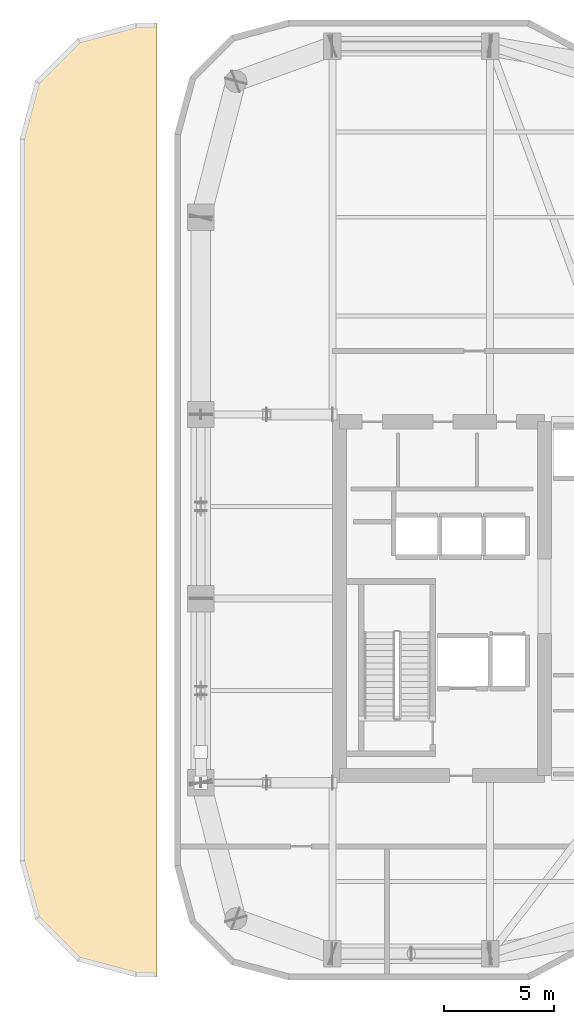
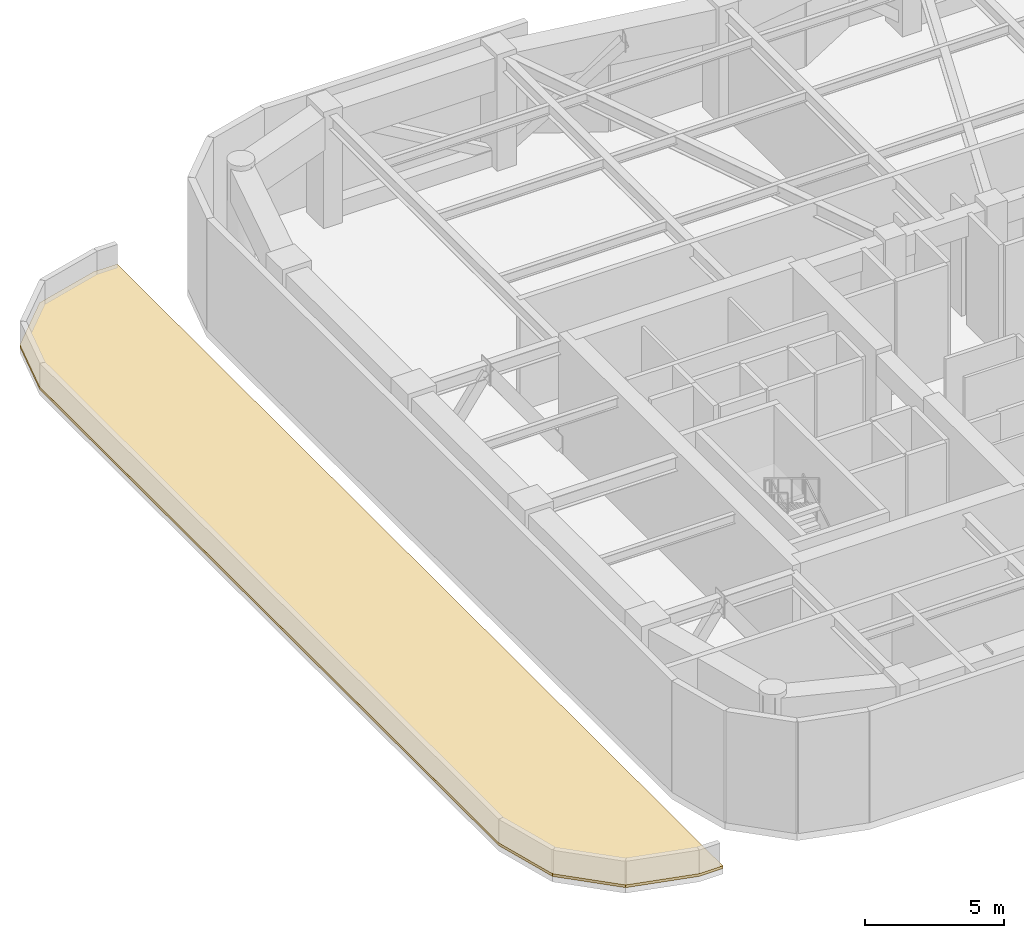
# One storey, part 15 of 16: 1 covering.
"""IFC4 building model written with IfcOpenShell, lengths in metres."""

from ifc_helpers import new_model, si_unit, direction, frame, origin, place, context, subcontext, project, spatial, polyline, outline, extrude, material, layer, layer_set, type_object, element, save


model = new_model("IFC4")

# Units and contexts
model_context = context("Model", 3, precision=1e-05, world=origin(), true_north=direction((0.0, 1.0)))
body_context = subcontext(model_context, "Body", "Model", "MODEL_VIEW")
ifc_project = project(units=[si_unit("LENGTHUNIT", "METRE"), si_unit("AREAUNIT", "SQUARE_METRE"), si_unit("VOLUMEUNIT", "CUBIC_METRE"), si_unit("PLANEANGLEUNIT", "RADIAN"), si_unit("MASSUNIT", "GRAM", prefix="KILO")], contexts=[model_context])

# Site, building, storey
site_placement = place(None, origin())
site = spatial("IfcSite", under=ifc_project, at=site_placement, CompositionType="ELEMENT")
building_placement = place(site_placement, origin())
building = spatial("IfcBuilding", under=site, at=building_placement, Name="Kiyonajd Concourse Tower", CompositionType="ELEMENT")
storey_placement = place(building_placement, frame((0.0, 0.0, 209.699951171875)))
storey = spatial("IfcBuildingStorey", under=building, at=storey_placement, Name="L53", CompositionType="ELEMENT", Elevation=209.699951171875)

# Covering
ifc_material = material(Name="Engineered Hinoki Wood-Effect Architectural Tile", Category="wood")
ifc_layer = layer(ifc_material, 0.1201171875)
ifc_layer_set = layer_set([ifc_layer], Name="Engineered Hinoki Wood-Effect Architectural Tile")
covering_type = type_object("IfcCoveringType", Name="CV-ROOF-MEMB", PredefinedType="ROOFING", material=ifc_layer_set)
covering_placement = place(storey_placement, origin())
element("IfcCovering", 1, at=covering_placement, inside=storey, type_object=covering_type, Name="L53 Setback Roof Membrane", PredefinedType="ROOFING", context=body_context, shape_type="SweptSolid", body=[
    extrude(outline(polyline([(18.85693359375, 59.6220703125), (20.778076171875, 61.54296875), (23.419921875, 62.25), (24.39990234375, 62.25), (24.39990234375, 18.75), (23.419921875, 18.75), (20.778076171875, 19.45703125), (18.85693359375, 21.3779296875), (18.14990234375, 24.02001953125), (18.14990234375, 56.97998046875), (18.85693359375, 59.6220703125)])), origin(), (0.0, 0.0, 1.0), 0.1201171875),
])

save(model, "model.ifc")
